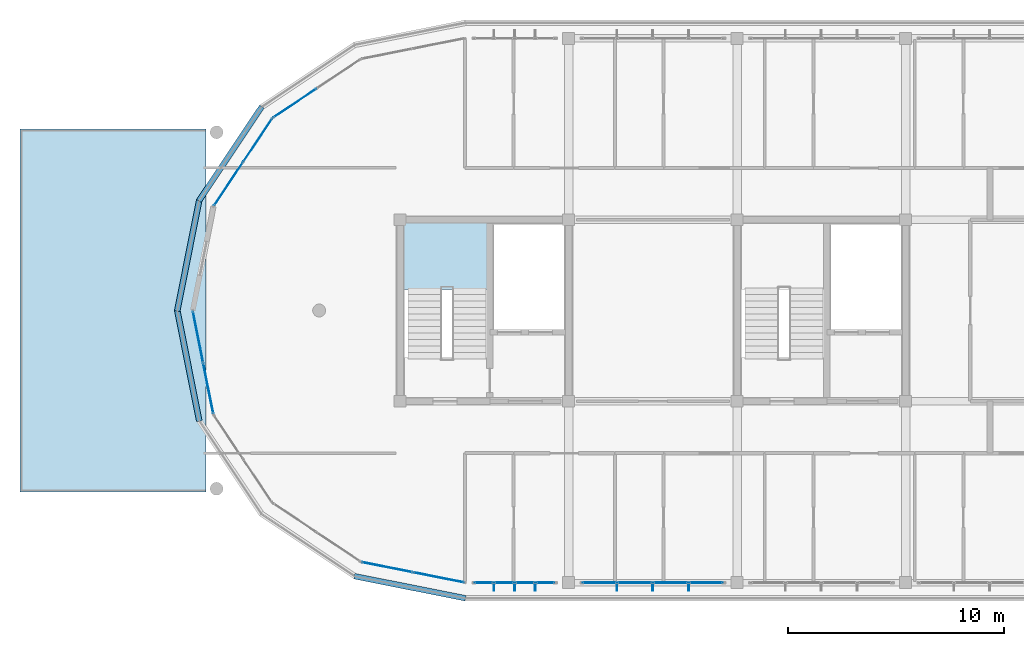
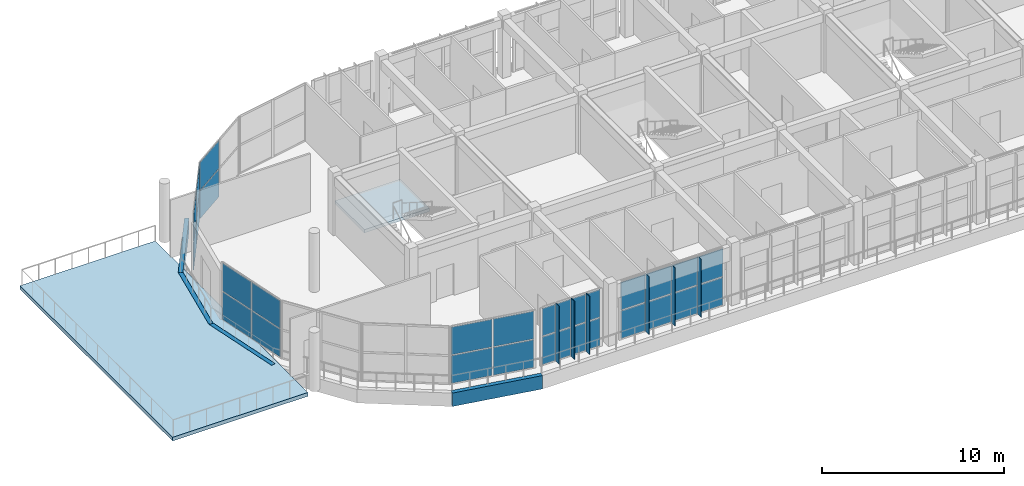
# One storey, part 28 of 44: 40 plates, 2 slabs, 7 elements without a shape of their own.
"""IFC4 building model written with IfcOpenShell, lengths in metres."""

from ifc_helpers import new_model, si_unit, direction, frame, origin, origin_2d, place, context, subcontext, project, spatial, polyline, rectangle, outline, extrude, material, layer, layer_set, type_object, element, aggregate, save


model = new_model("IFC4")

# Units and contexts
model_context = context("Model", 3, precision=1e-05, world=origin(), true_north=direction((0.0, 1.0)))
body_context = subcontext(model_context, "Body", "Model", "MODEL_VIEW")
ifc_project = project(units=[si_unit("LENGTHUNIT", "METRE"), si_unit("AREAUNIT", "SQUARE_METRE"), si_unit("VOLUMEUNIT", "CUBIC_METRE"), si_unit("PLANEANGLEUNIT", "RADIAN"), si_unit("MASSUNIT", "GRAM", prefix="KILO")], contexts=[model_context])

# Site, building, storey
site_placement = place(None, origin())
site = spatial("IfcSite", under=ifc_project, at=site_placement, CompositionType="ELEMENT")
building_placement = place(site_placement, origin())
building = spatial("IfcBuilding", under=site, at=building_placement, Name="Zizhar Promenade General Hospital", CompositionType="ELEMENT")
storey_placement = place(building_placement, frame((0.0, 0.0, 34.800048828125)))
storey = spatial("IfcBuildingStorey", under=building, at=storey_placement, Name="L08", CompositionType="ELEMENT", Elevation=34.800048828125)

# Curtain wall, plates
ifc_material_1 = material(Name="Anodised aluminium 6063-T6 and low-E glass", Category="aluminium")
ifc_layer_1 = layer(ifc_material_1, 0.159912109375)
ifc_layer_set_1 = layer_set([ifc_layer_1], Name="Anodised aluminium 6063-T6 and low-E glass")
curtain_wall_type_1 = type_object("IfcCurtainWallType", Name="CW-WARD-ARC", PredefinedType="NOTDEFINED", material=ifc_layer_set_1)
curtain_wall_1_placement = place(storey_placement, origin())
curtain_wall_1 = element("IfcCurtainWall", 1, at=curtain_wall_1_placement, inside=storey, type_object=curtain_wall_type_1, Name="Ward Semicircular End Glazing L08-11", PredefinedType="NOTDEFINED")
ifc_material_2 = material(Name="Low-E solar-control glass", Category="glass")
ifc_layer_2 = layer(ifc_material_2, 0.031982421875)
ifc_layer_set_2 = layer_set([ifc_layer_2], Name="Low-E solar-control glass")
plate_type_1 = type_object("IfcPlateType", Name="CWP-GLZ-32", PredefinedType="CURTAIN_PANEL", material=ifc_layer_set_2)
plate_1_placement = place(storey_placement, frame((41.9248046875, 22.20068359375, 0.06005859375), z_axis=(0.0, 0.0, 1.0), x_axis=(0.831461514468, 0.555582352095, 0.0)))
plate_1 = element("IfcPlate", 2, at=plate_1_placement, type_object=plate_type_1, Name="CW-12 panel 1.1", PredefinedType="CURTAIN_PANEL", context=body_context, shape_type="SweptSolid", body=[
    extrude(rectangle(XDim=2.3681640625, YDim=0.031982421875, at=origin_2d()), origin(), (0.0, 0.0, 1.0), 1.860107421875),
])
plate_2_placement = place(storey_placement, frame((41.9248046875, 22.20068359375, 1.97998046875), z_axis=(0.0, 0.0, 1.0), x_axis=(0.831461514468, 0.555582352095, 0.0)))
plate_2 = element("IfcPlate", 3, at=plate_2_placement, type_object=plate_type_1, Name="CW-12 panel 1.2", PredefinedType="CURTAIN_PANEL", context=body_context, shape_type="SweptSolid", body=[
    extrude(rectangle(XDim=2.3681640625, YDim=0.031982421875, at=origin_2d()), origin(), (0.0, 0.0, 1.0), 1.860107421875),
])
aggregate(curtain_wall_1, [plate_1, plate_2])

curtain_wall_2_placement = place(storey_placement, origin())
curtain_wall_2 = element("IfcCurtainWall", 4, at=curtain_wall_2_placement, inside=storey, type_object=curtain_wall_type_1, Name="Ward Semicircular End Glazing L08-12", PredefinedType="NOTDEFINED")
plate_3_placement = place(storey_placement, frame((38.850341796875, 18.456298828125, 0.06005859375), z_axis=(0.0, 0.0, 1.0), x_axis=(0.555582352095, 0.831461514468, 0.0)))
plate_3 = element("IfcPlate", 5, at=plate_3_placement, type_object=plate_type_1, Name="CW-12 panel 1.1", PredefinedType="CURTAIN_PANEL", context=body_context, shape_type="SweptSolid", body=[
    extrude(rectangle(XDim=2.3681640625, YDim=0.031982421875, at=origin_2d()), origin(), (0.0, 0.0, 1.0), 1.860107421875),
])
plate_4_placement = place(storey_placement, frame((38.850341796875, 18.456298828125, 1.97998046875), z_axis=(0.0, 0.0, 1.0), x_axis=(0.555582352095, 0.831461514468, 0.0)))
plate_4 = element("IfcPlate", 6, at=plate_4_placement, type_object=plate_type_1, Name="CW-12 panel 1.2", PredefinedType="CURTAIN_PANEL", context=body_context, shape_type="SweptSolid", body=[
    extrude(rectangle(XDim=2.3681640625, YDim=0.031982421875, at=origin_2d()), origin(), (0.0, 0.0, 1.0), 1.860107421875),
])
plate_5_placement = place(storey_placement, frame((40.19921875, 20.47509765625, 0.06005859375), z_axis=(0.0, 0.0, 1.0), x_axis=(0.555582352095, 0.831461514468, 0.0)))
plate_5 = element("IfcPlate", 7, at=plate_5_placement, type_object=plate_type_1, Name="CW-12 panel 2.1", PredefinedType="CURTAIN_PANEL", context=body_context, shape_type="SweptSolid", body=[
    extrude(rectangle(XDim=2.3681640625, YDim=0.031982421875, at=origin_2d()), origin(), (0.0, 0.0, 1.0), 1.860107421875),
])
plate_6_placement = place(storey_placement, frame((40.19921875, 20.47509765625, 1.97998046875), z_axis=(0.0, 0.0, 1.0), x_axis=(0.555582352095, 0.831461514468, 0.0)))
plate_6 = element("IfcPlate", 8, at=plate_6_placement, type_object=plate_type_1, Name="CW-12 panel 2.2", PredefinedType="CURTAIN_PANEL", context=body_context, shape_type="SweptSolid", body=[
    extrude(rectangle(XDim=2.3681640625, YDim=0.031982421875, at=origin_2d()), origin(), (0.0, 0.0, 1.0), 1.860107421875),
])
aggregate(curtain_wall_2, [plate_3, plate_4, plate_5, plate_6])

curtain_wall_3_placement = place(storey_placement, origin())
curtain_wall_3 = element("IfcCurtainWall", 9, at=curtain_wall_3_placement, inside=storey, type_object=curtain_wall_type_1, Name="Ward Semicircular End Glazing L08-14", PredefinedType="NOTDEFINED")
plate_7_placement = place(storey_placement, frame((37.91650390625, 8.998291015625, 0.06005859375), z_axis=(0.0, 0.0, 1.0), x_axis=(-0.195087259275, 0.980785889615, 0.0)))
plate_7 = element("IfcPlate", 10, at=plate_7_placement, type_object=plate_type_1, Name="CW-12 panel 1.1", PredefinedType="CURTAIN_PANEL", context=body_context, shape_type="SweptSolid", body=[
    extrude(rectangle(XDim=2.3681640625, YDim=0.031982421875, at=origin_2d()), origin(), (0.0, 0.0, 1.0), 1.860107421875),
])
plate_8_placement = place(storey_placement, frame((37.91650390625, 8.998291015625, 1.97998046875), z_axis=(0.0, 0.0, 1.0), x_axis=(-0.195087259275, 0.980785889615, 0.0)))
plate_8 = element("IfcPlate", 11, at=plate_8_placement, type_object=plate_type_1, Name="CW-12 panel 1.2", PredefinedType="CURTAIN_PANEL", context=body_context, shape_type="SweptSolid", body=[
    extrude(rectangle(XDim=2.3681640625, YDim=0.031982421875, at=origin_2d()), origin(), (0.0, 0.0, 1.0), 1.860107421875),
])
plate_9_placement = place(storey_placement, frame((37.442626953125, 11.3798828125, 0.06005859375), z_axis=(0.0, 0.0, 1.0), x_axis=(-0.195087259275, 0.980785889615, 0.0)))
plate_9 = element("IfcPlate", 12, at=plate_9_placement, type_object=plate_type_1, Name="CW-12 panel 2.1", PredefinedType="CURTAIN_PANEL", context=body_context, shape_type="SweptSolid", body=[
    extrude(rectangle(XDim=2.3681640625, YDim=0.031982421875, at=origin_2d()), origin(), (0.0, 0.0, 1.0), 1.860107421875),
])
plate_10_placement = place(storey_placement, frame((37.442626953125, 11.3798828125, 1.97998046875), z_axis=(0.0, 0.0, 1.0), x_axis=(-0.195087259275, 0.980785889615, 0.0)))
plate_10 = element("IfcPlate", 13, at=plate_10_placement, type_object=plate_type_1, Name="CW-12 panel 2.2", PredefinedType="CURTAIN_PANEL", context=body_context, shape_type="SweptSolid", body=[
    extrude(rectangle(XDim=2.3681640625, YDim=0.031982421875, at=origin_2d()), origin(), (0.0, 0.0, 1.0), 1.860107421875),
])
aggregate(curtain_wall_3, [plate_7, plate_8, plate_9, plate_10])

curtain_wall_4_placement = place(storey_placement, origin())
curtain_wall_4 = element("IfcCurtainWall", 14, at=curtain_wall_4_placement, inside=storey, type_object=curtain_wall_type_1, Name="Ward Semicircular End Glazing L08-17", PredefinedType="NOTDEFINED")
plate_11_placement = place(storey_placement, frame((48.579833984375, 0.24267578125, 0.06005859375), z_axis=(0.0, 0.0, 1.0), x_axis=(-0.980785889615, 0.195087259275, 0.0)))
plate_11 = element("IfcPlate", 15, at=plate_11_placement, type_object=plate_type_1, Name="CW-12 panel 1.1", PredefinedType="CURTAIN_PANEL", context=body_context, shape_type="SweptSolid", body=[
    extrude(rectangle(XDim=2.3681640625, YDim=0.031982421875, at=origin_2d()), origin(), (0.0, 0.0, 1.0), 1.860107421875),
])
plate_12_placement = place(storey_placement, frame((48.579833984375, 0.24267578125, 1.97998046875), z_axis=(0.0, 0.0, 1.0), x_axis=(-0.980785889615, 0.195087259275, 0.0)))
plate_12 = element("IfcPlate", 16, at=plate_12_placement, type_object=plate_type_1, Name="CW-12 panel 1.2", PredefinedType="CURTAIN_PANEL", context=body_context, shape_type="SweptSolid", body=[
    extrude(rectangle(XDim=2.3681640625, YDim=0.031982421875, at=origin_2d()), origin(), (0.0, 0.0, 1.0), 1.860107421875),
])
plate_13_placement = place(storey_placement, frame((46.1982421875, 0.71630859375, 0.06005859375), z_axis=(0.0, 0.0, 1.0), x_axis=(-0.980785889615, 0.195087259275, 0.0)))
plate_13 = element("IfcPlate", 17, at=plate_13_placement, type_object=plate_type_1, Name="CW-12 panel 2.1", PredefinedType="CURTAIN_PANEL", context=body_context, shape_type="SweptSolid", body=[
    extrude(rectangle(XDim=2.3681640625, YDim=0.031982421875, at=origin_2d()), origin(), (0.0, 0.0, 1.0), 1.860107421875),
])
plate_14_placement = place(storey_placement, frame((46.1982421875, 0.71630859375, 1.97998046875), z_axis=(0.0, 0.0, 1.0), x_axis=(-0.980785889615, 0.195087259275, 0.0)))
plate_14 = element("IfcPlate", 18, at=plate_14_placement, type_object=plate_type_1, Name="CW-12 panel 2.2", PredefinedType="CURTAIN_PANEL", context=body_context, shape_type="SweptSolid", body=[
    extrude(rectangle(XDim=2.3681640625, YDim=0.031982421875, at=origin_2d()), origin(), (0.0, 0.0, 1.0), 1.860107421875),
])
aggregate(curtain_wall_4, [plate_11, plate_12, plate_13, plate_14])

ifc_material_3 = material(Name="Anodised aluminium 6063-T6 and low-E glass", Category="aluminium")
ifc_layer_3 = layer(ifc_material_3, 0.159912109375)
ifc_layer_set_3 = layer_set([ifc_layer_3], Name="Anodised aluminium 6063-T6 and low-E glass")
curtain_wall_type_2 = type_object("IfcCurtainWallType", Name="CW-WARD-RIB", PredefinedType="NOTDEFINED", material=ifc_layer_set_3)
curtain_wall_5_placement = place(storey_placement, origin())
curtain_wall_5 = element("IfcCurtainWall", 19, at=curtain_wall_5_placement, inside=storey, type_object=curtain_wall_type_2, Name="Ward Ribbon Curtain Wall L08-17-5", PredefinedType="NOTDEFINED")
plate_15_placement = place(storey_placement, frame((60.969970703125, 0.0, 0.06005859375), z_axis=(0.0, 0.0, 1.0), x_axis=(-1.0, 0.0, 0.0)))
plate_15 = element("IfcPlate", 20, at=plate_15_placement, type_object=plate_type_1, Name="CW-13 panel 1.1", PredefinedType="CURTAIN_PANEL", context=body_context, shape_type="SweptSolid", body=[
    extrude(rectangle(XDim=1.5400390625, YDim=0.031982421875, at=origin_2d()), origin(), (0.0, 0.0, 1.0), 1.860107421875),
])
plate_16_placement = place(storey_placement, frame((60.969970703125, 0.0, 1.97998046875), z_axis=(0.0, 0.0, 1.0), x_axis=(-1.0, 0.0, 0.0)))
plate_16 = element("IfcPlate", 21, at=plate_16_placement, type_object=plate_type_1, Name="CW-13 panel 1.2", PredefinedType="CURTAIN_PANEL", context=body_context, shape_type="SweptSolid", body=[
    extrude(rectangle(XDim=1.5400390625, YDim=0.031982421875, at=origin_2d()), origin(), (0.0, 0.0, 1.0), 1.860107421875),
])
plate_17_placement = place(storey_placement, frame((59.330078125, 0.0, 0.06005859375), z_axis=(0.0, 0.0, 1.0), x_axis=(-1.0, 0.0, 0.0)))
plate_17 = element("IfcPlate", 22, at=plate_17_placement, type_object=plate_type_1, Name="CW-13 panel 2.1", PredefinedType="CURTAIN_PANEL", context=body_context, shape_type="SweptSolid", body=[
    extrude(rectangle(XDim=1.580078125, YDim=0.031982421875, at=origin_2d()), origin(), (0.0, 0.0, 1.0), 1.860107421875),
])
plate_18_placement = place(storey_placement, frame((59.330078125, 0.0, 1.97998046875), z_axis=(0.0, 0.0, 1.0), x_axis=(-1.0, 0.0, 0.0)))
plate_18 = element("IfcPlate", 23, at=plate_18_placement, type_object=plate_type_1, Name="CW-13 panel 2.2", PredefinedType="CURTAIN_PANEL", context=body_context, shape_type="SweptSolid", body=[
    extrude(rectangle(XDim=1.580078125, YDim=0.031982421875, at=origin_2d()), origin(), (0.0, 0.0, 1.0), 1.860107421875),
])
plate_19_placement = place(storey_placement, frame((57.669921875, 0.0, 0.06005859375), z_axis=(0.0, 0.0, 1.0), x_axis=(-1.0, 0.0, 0.0)))
plate_19 = element("IfcPlate", 24, at=plate_19_placement, type_object=plate_type_1, Name="CW-13 panel 3.1", PredefinedType="CURTAIN_PANEL", context=body_context, shape_type="SweptSolid", body=[
    extrude(rectangle(XDim=1.580078125, YDim=0.031982421875, at=origin_2d()), origin(), (0.0, 0.0, 1.0), 1.860107421875),
])
plate_20_placement = place(storey_placement, frame((57.669921875, 0.0, 1.97998046875), z_axis=(0.0, 0.0, 1.0), x_axis=(-1.0, 0.0, 0.0)))
plate_20 = element("IfcPlate", 25, at=plate_20_placement, type_object=plate_type_1, Name="CW-13 panel 3.2", PredefinedType="CURTAIN_PANEL", context=body_context, shape_type="SweptSolid", body=[
    extrude(rectangle(XDim=1.580078125, YDim=0.031982421875, at=origin_2d()), origin(), (0.0, 0.0, 1.0), 1.860107421875),
])
plate_21_placement = place(storey_placement, frame((56.030029296875, 0.0, 0.06005859375), z_axis=(0.0, 0.0, 1.0), x_axis=(-1.0, 0.0, 0.0)))
plate_21 = element("IfcPlate", 26, at=plate_21_placement, type_object=plate_type_1, Name="CW-13 panel 4.1", PredefinedType="CURTAIN_PANEL", context=body_context, shape_type="SweptSolid", body=[
    extrude(rectangle(XDim=1.5400390625, YDim=0.031982421875, at=origin_2d()), origin(), (0.0, 0.0, 1.0), 1.860107421875),
])
plate_22_placement = place(storey_placement, frame((56.030029296875, 0.0, 1.97998046875), z_axis=(0.0, 0.0, 1.0), x_axis=(-1.0, 0.0, 0.0)))
plate_22 = element("IfcPlate", 27, at=plate_22_placement, type_object=plate_type_1, Name="CW-13 panel 4.2", PredefinedType="CURTAIN_PANEL", context=body_context, shape_type="SweptSolid", body=[
    extrude(rectangle(XDim=1.5400390625, YDim=0.031982421875, at=origin_2d()), origin(), (0.0, 0.0, 1.0), 1.860107421875),
])
aggregate(curtain_wall_5, [plate_15, plate_16, plate_17, plate_18, plate_19, plate_20, plate_21, plate_22])

curtain_wall_6_placement = place(storey_placement, origin())
curtain_wall_6 = element("IfcCurtainWall", 28, at=curtain_wall_6_placement, inside=storey, type_object=curtain_wall_type_2, Name="Ward Ribbon Curtain Wall L08-17-6", PredefinedType="NOTDEFINED")
plate_23_placement = place(storey_placement, frame((53.52001953125, 0.0, 0.06005859375), z_axis=(0.0, 0.0, 1.0), x_axis=(-1.0, 0.0, 0.0)))
plate_23 = element("IfcPlate", 29, at=plate_23_placement, type_object=plate_type_1, Name="CW-13 panel 1.1", PredefinedType="CURTAIN_PANEL", context=body_context, shape_type="SweptSolid", body=[
    extrude(rectangle(XDim=0.840087890625, YDim=0.031982421875, at=origin_2d()), origin(), (0.0, 0.0, 1.0), 1.860107421875),
])
plate_24_placement = place(storey_placement, frame((53.52001953125, 0.0, 1.97998046875), z_axis=(0.0, 0.0, 1.0), x_axis=(-1.0, 0.0, 0.0)))
plate_24 = element("IfcPlate", 30, at=plate_24_placement, type_object=plate_type_1, Name="CW-13 panel 1.2", PredefinedType="CURTAIN_PANEL", context=body_context, shape_type="SweptSolid", body=[
    extrude(rectangle(XDim=0.840087890625, YDim=0.031982421875, at=origin_2d()), origin(), (0.0, 0.0, 1.0), 1.860107421875),
])
plate_25_placement = place(storey_placement, frame((52.580078125, 0.0, 0.06005859375), z_axis=(0.0, 0.0, 1.0), x_axis=(-1.0, 0.0, 0.0)))
plate_25 = element("IfcPlate", 31, at=plate_25_placement, type_object=plate_type_1, Name="CW-13 panel 2.1", PredefinedType="CURTAIN_PANEL", context=body_context, shape_type="SweptSolid", body=[
    extrude(rectangle(XDim=0.8798828125, YDim=0.031982421875, at=origin_2d()), origin(), (0.0, 0.0, 1.0), 1.860107421875),
])
plate_26_placement = place(storey_placement, frame((52.580078125, 0.0, 1.97998046875), z_axis=(0.0, 0.0, 1.0), x_axis=(-1.0, 0.0, 0.0)))
plate_26 = element("IfcPlate", 32, at=plate_26_placement, type_object=plate_type_1, Name="CW-13 panel 2.2", PredefinedType="CURTAIN_PANEL", context=body_context, shape_type="SweptSolid", body=[
    extrude(rectangle(XDim=0.8798828125, YDim=0.031982421875, at=origin_2d()), origin(), (0.0, 0.0, 1.0), 1.860107421875),
])
plate_27_placement = place(storey_placement, frame((51.6201171875, 0.0, 0.06005859375), z_axis=(0.0, 0.0, 1.0), x_axis=(-1.0, 0.0, 0.0)))
plate_27 = element("IfcPlate", 33, at=plate_27_placement, type_object=plate_type_1, Name="CW-13 panel 3.1", PredefinedType="CURTAIN_PANEL", context=body_context, shape_type="SweptSolid", body=[
    extrude(rectangle(XDim=0.8798828125, YDim=0.031982421875, at=origin_2d()), origin(), (0.0, 0.0, 1.0), 1.860107421875),
])
plate_28_placement = place(storey_placement, frame((51.6201171875, 0.0, 1.97998046875), z_axis=(0.0, 0.0, 1.0), x_axis=(-1.0, 0.0, 0.0)))
plate_28 = element("IfcPlate", 34, at=plate_28_placement, type_object=plate_type_1, Name="CW-13 panel 3.2", PredefinedType="CURTAIN_PANEL", context=body_context, shape_type="SweptSolid", body=[
    extrude(rectangle(XDim=0.8798828125, YDim=0.031982421875, at=origin_2d()), origin(), (0.0, 0.0, 1.0), 1.860107421875),
])
plate_29_placement = place(storey_placement, frame((50.679931640625, 0.0, 0.06005859375), z_axis=(0.0, 0.0, 1.0), x_axis=(-1.0, 0.0, 0.0)))
plate_29 = element("IfcPlate", 35, at=plate_29_placement, type_object=plate_type_1, Name="CW-13 panel 4.1", PredefinedType="CURTAIN_PANEL", context=body_context, shape_type="SweptSolid", body=[
    extrude(rectangle(XDim=0.840087890625, YDim=0.031982421875, at=origin_2d()), origin(), (0.0, 0.0, 1.0), 1.860107421875),
])
plate_30_placement = place(storey_placement, frame((50.679931640625, 0.0, 1.97998046875), z_axis=(0.0, 0.0, 1.0), x_axis=(-1.0, 0.0, 0.0)))
plate_30 = element("IfcPlate", 36, at=plate_30_placement, type_object=plate_type_1, Name="CW-13 panel 4.2", PredefinedType="CURTAIN_PANEL", context=body_context, shape_type="SweptSolid", body=[
    extrude(rectangle(XDim=0.840087890625, YDim=0.031982421875, at=origin_2d()), origin(), (0.0, 0.0, 1.0), 1.860107421875),
])
aggregate(curtain_wall_6, [plate_23, plate_24, plate_25, plate_26, plate_27, plate_28, plate_29, plate_30])

# Plates
ifc_material_4 = material(Name="Anodised aluminium 6063-T6", Category="aluminium")
ifc_layer_4 = layer(ifc_material_4, 0.035888671875)
ifc_layer_set_4 = layer_set([ifc_layer_4], Name="Anodised aluminium 6063-T6")
plate_type_2 = type_object("IfcPlateType", Name="FIN-ALU-380", PredefinedType="USERDEFINED", material=ifc_layer_set_4)
plate_31_placement = place(storey_placement, origin())
element("IfcPlate", 37, at=plate_31_placement, inside=storey, type_object=plate_type_2, Name="Ward Ribbon Curtain Wall L08-17-5 Solar Fin 1", ObjectType="SOLAR_SHADE", PredefinedType="USERDEFINED", context=body_context, shape_type="SweptSolid", body=[
    extrude(outline(polyline([(60.177978515625, 0.0), (60.14208984375, 0.0), (60.14208984375, -0.3798828125), (60.177978515625, -0.3798828125), (60.177978515625, 0.0)])), origin(), (0.0, 0.0, 1.0), 3.89990234375),
])
plate_32_placement = place(storey_placement, origin())
element("IfcPlate", 38, at=plate_32_placement, inside=storey, type_object=plate_type_2, Name="Ward Ribbon Curtain Wall L08-17-5 Solar Fin 2", ObjectType="SOLAR_SHADE", PredefinedType="USERDEFINED", context=body_context, shape_type="SweptSolid", body=[
    extrude(outline(polyline([(58.51806640625, 0.0), (58.48193359375, 0.0), (58.48193359375, -0.3798828125), (58.51806640625, -0.3798828125), (58.51806640625, 0.0)])), origin(), (0.0, 0.0, 1.0), 3.89990234375),
])
plate_33_placement = place(storey_placement, origin())
element("IfcPlate", 39, at=plate_33_placement, inside=storey, type_object=plate_type_2, Name="Ward Ribbon Curtain Wall L08-17-5 Solar Fin 3", ObjectType="SOLAR_SHADE", PredefinedType="USERDEFINED", context=body_context, shape_type="SweptSolid", body=[
    extrude(outline(polyline([(56.85791015625, 0.0), (56.822021484375, 0.0), (56.822021484375, -0.3798828125), (56.85791015625, -0.3798828125), (56.85791015625, 0.0)])), origin(), (0.0, 0.0, 1.0), 3.89990234375),
])
plate_34_placement = place(storey_placement, origin())
element("IfcPlate", 40, at=plate_34_placement, inside=storey, type_object=plate_type_2, Name="Ward Ribbon Curtain Wall L08-17-6 Solar Fin 1", ObjectType="SOLAR_SHADE", PredefinedType="USERDEFINED", context=body_context, shape_type="SweptSolid", body=[
    extrude(outline(polyline([(53.077880859375, 0.0), (53.0419921875, 0.0), (53.0419921875, -0.3798828125), (53.077880859375, -0.3798828125), (53.077880859375, 0.0)])), origin(), (0.0, 0.0, 1.0), 3.89990234375),
])
plate_35_placement = place(storey_placement, origin())
element("IfcPlate", 41, at=plate_35_placement, inside=storey, type_object=plate_type_2, Name="Ward Ribbon Curtain Wall L08-17-6 Solar Fin 2", ObjectType="SOLAR_SHADE", PredefinedType="USERDEFINED", context=body_context, shape_type="SweptSolid", body=[
    extrude(outline(polyline([(52.117919921875, 0.0), (52.08203125, 0.0), (52.08203125, -0.3798828125), (52.117919921875, -0.3798828125), (52.117919921875, 0.0)])), origin(), (0.0, 0.0, 1.0), 3.89990234375),
])
plate_36_placement = place(storey_placement, origin())
element("IfcPlate", 42, at=plate_36_placement, inside=storey, type_object=plate_type_2, Name="Ward Ribbon Curtain Wall L08-17-6 Solar Fin 3", ObjectType="SOLAR_SHADE", PredefinedType="USERDEFINED", context=body_context, shape_type="SweptSolid", body=[
    extrude(outline(polyline([(51.157958984375, 0.0), (51.1220703125, 0.0), (51.1220703125, -0.3798828125), (51.157958984375, -0.3798828125), (51.157958984375, 0.0)])), origin(), (0.0, 0.0, 1.0), 3.89990234375),
])
ifc_material_5 = material(Name="Precast concrete C40/50", Category="concrete")
ifc_layer_5 = layer(ifc_material_5, 0.260009765625)
ifc_layer_set_5 = layer_set([ifc_layer_5], Name="Precast concrete C40/50")
plate_type_3 = type_object("IfcPlateType", Name="PL-PC-BAND950", PredefinedType="USERDEFINED", material=ifc_layer_set_5)
plate_37_placement = place(storey_placement, frame((0.0, 0.0, -0.900146484375)))
element("IfcPlate", 43, at=plate_37_placement, inside=storey, type_object=plate_type_3, Name="Ward Precast Slab Band L08-12", ObjectType="FASCIA_BAND", PredefinedType="USERDEFINED", context=body_context, shape_type="SweptSolid", body=[
    extrude(outline(polyline([(40.289306640625, 22.110595703125), (37.373779296875, 17.7470703125), (37.590087890625, 17.602783203125), (40.505615234375, 21.96630859375), (40.289306640625, 22.110595703125)])), origin(), (0.0, 0.0, 1.0), 0.900146484375),
])
plate_38_placement = place(storey_placement, frame((0.0, 0.0, -0.900146484375)))
element("IfcPlate", 44, at=plate_38_placement, inside=storey, type_object=plate_type_3, Name="Ward Precast Slab Band L08-13", ObjectType="FASCIA_BAND", PredefinedType="USERDEFINED", context=body_context, shape_type="SweptSolid", body=[
    extrude(outline(polyline([(37.373779296875, 17.7470703125), (36.35009765625, 12.60009765625), (36.60498046875, 12.54931640625), (37.62890625, 17.6962890625), (37.373779296875, 17.7470703125)])), origin(), (0.0, 0.0, 1.0), 0.900146484375),
])
plate_39_placement = place(storey_placement, frame((0.0, 0.0, -0.900146484375)))
element("IfcPlate", 45, at=plate_39_placement, inside=storey, type_object=plate_type_3, Name="Ward Precast Slab Band L08-14", ObjectType="FASCIA_BAND", PredefinedType="USERDEFINED", context=body_context, shape_type="SweptSolid", body=[
    extrude(outline(polyline([(36.35009765625, 12.60009765625), (37.373779296875, 7.452880859375), (37.62890625, 7.503662109375), (36.60498046875, 12.650634765625), (36.35009765625, 12.60009765625)])), origin(), (0.0, 0.0, 1.0), 0.900146484375),
])
plate_40_placement = place(storey_placement, frame((0.0, 0.0, -0.900146484375)))
element("IfcPlate", 46, at=plate_40_placement, inside=storey, type_object=plate_type_3, Name="Ward Precast Slab Band L08-17", ObjectType="FASCIA_BAND", PredefinedType="USERDEFINED", context=body_context, shape_type="SweptSolid", body=[
    extrude(outline(polyline([(44.65283203125, 0.173828125), (49.800048828125, -0.85009765625), (49.8505859375, -0.594970703125), (44.70361328125, 0.4287109375), (44.65283203125, 0.173828125)])), origin(), (0.0, 0.0, 1.0), 0.900146484375),
])

# Stair, slab
ifc_material_6 = material(Name="Concrete C35/45", Category="concrete")
stair_type = type_object("IfcStairType", Name="STR-DOG-420", PredefinedType="HALF_TURN_STAIR", material=ifc_material_6)
stair_placement = place(storey_placement, origin())
stair = element("IfcStair", 47, at=stair_placement, inside=storey, type_object=stair_type, Name="Exit Stair ST-02 (L08 to L09)", PredefinedType="HALF_TURN_STAIR")
ifc_material_7 = material(Name="Concrete C35/45", Category="concrete")
ifc_layer_6 = layer(ifc_material_7, 0.2099609375)
ifc_layer_set_6 = layer_set([ifc_layer_6], Name="Concrete C35/45")
slab_type_1 = type_object("IfcSlabType", Name="SLB-LAND-420", PredefinedType="LANDING", material=ifc_layer_set_6)
slab_1_placement = place(storey_placement, frame((0.0, 0.0, 1.889892578125)))
slab_1 = element("IfcSlab", 48, at=slab_1_placement, type_object=slab_type_1, Name="ST-02C landing 1", PredefinedType="LANDING", context=body_context, shape_type="SweptSolid", body=[
    extrude(outline(polyline([(46.800048828125, 13.570068359375), (50.949951171875, 13.570068359375), (50.949951171875, 16.800048828125), (46.800048828125, 16.800048828125), (46.800048828125, 13.570068359375)])), origin(), (0.0, 0.0, 1.0), 0.2099609375),
])
aggregate(stair, [slab_1])

# Slab
ifc_material_8 = material(Name="Concrete C35/45", Category="concrete")
ifc_layer_7 = layer(ifc_material_8, 0.25)
ifc_layer_set_7 = layer_set([ifc_layer_7], Name="Concrete C35/45")
slab_type_2 = type_object("IfcSlabType", Name="SLB-TERR-250", PredefinedType="ROOF", material=ifc_layer_set_7)
slab_2_placement = place(storey_placement, frame((0.0, 0.0, -0.25)))
element("IfcSlab", 49, at=slab_2_placement, inside=storey, type_object=slab_type_2, Name="Level L08 West Recovery Terrace Slab", PredefinedType="ROOF", context=body_context, shape_type="SweptSolid", body=[
    extrude(outline(polyline([(29.199951171875, 4.199951171875), (37.800048828125, 4.199951171875), (37.800048828125, 21.0), (29.199951171875, 21.0), (29.199951171875, 4.199951171875)])), origin(), (0.0, 0.0, 1.0), 0.25),
])

save(model, "model.ifc")
